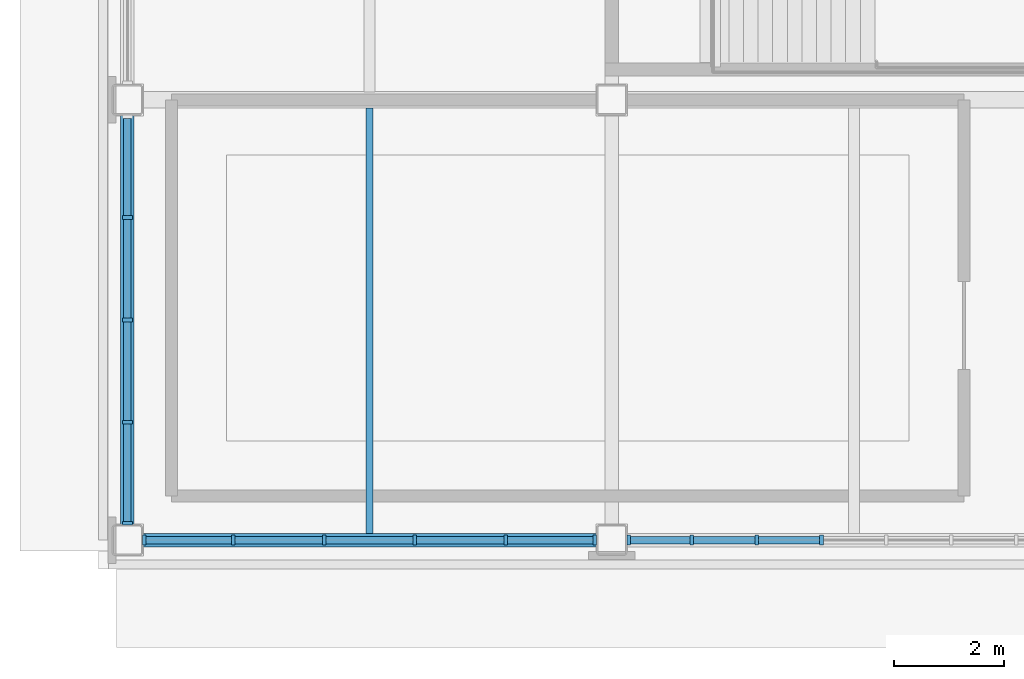
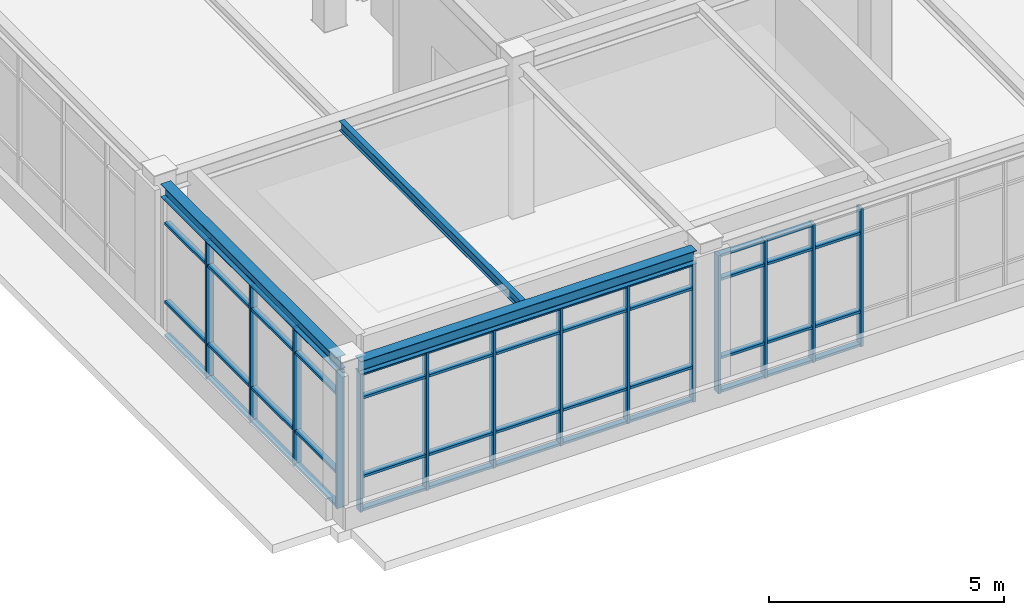
# One storey, part 6 of 64: 61 members, 3 beams, 3 elements without a shape of their own.
"""IFC4 building model written with IfcOpenShell, lengths in metres."""

from ifc_helpers import new_model, si_unit, direction, frame, origin, origin_2d, place, context, subcontext, project, spatial, rectangle, i_section, extrude, material, material_profile, profile_set, type_object, element, aggregate, save


model = new_model("IFC4")

# Units and contexts
model_context = context("Model", 3, precision=1e-05, world=origin(), true_north=direction((0.0, 1.0)))
body_context = subcontext(model_context, "Body", "Model", "MODEL_VIEW")
ifc_project = project(units=[si_unit("LENGTHUNIT", "METRE"), si_unit("AREAUNIT", "SQUARE_METRE"), si_unit("VOLUMEUNIT", "CUBIC_METRE"), si_unit("PLANEANGLEUNIT", "RADIAN"), si_unit("MASSUNIT", "GRAM", prefix="KILO")], contexts=[model_context])

# Site, building, storey
site_placement = place(None, origin())
site = spatial("IfcSite", under=ifc_project, at=site_placement, CompositionType="ELEMENT")
building_placement = place(site_placement, origin())
building = spatial("IfcBuilding", under=site, at=building_placement, Name="Zhaolan Boulevard Law Courts", CompositionType="ELEMENT")
storey_placement = place(building_placement, frame((0.0, 0.0, 20.39990234375)))
storey = spatial("IfcBuildingStorey", under=building, at=storey_placement, Name="L04", CompositionType="ELEMENT", Elevation=20.39990234375)

# Curtain wall, members
ifc_material_1 = material(Name="Thermally broken aluminium and low-E glazing", Category="aluminium")
curtain_wall_type_1 = type_object("IfcCurtainWallType", Name="CURTAIN WALL M17", PredefinedType="USERDEFINED", material=ifc_material_1)
curtain_wall_1_placement = place(storey_placement, origin())
curtain_wall_1 = element("IfcCurtainWall", 1, at=curtain_wall_1_placement, inside=storey, type_object=curtain_wall_type_1, Name="Curtain Wall CW-L04-185", ObjectType="CURTAIN WALL", PredefinedType="USERDEFINED")
ifc_material_2 = material(Name="Fluorocarbon-coated aluminium 6063-T6", Category="aluminium")
ifc_material_profile_1 = material_profile(ifc_material_2, rectangle(XDim=0.179931640625, YDim=0.06494140625, at=origin_2d()), Name="AL65x180")
ifc_profile_set_1 = profile_set([ifc_material_profile_1], Name="Fluorocarbon-coated aluminium 6063-T6")
member_type_1 = type_object("IfcMemberType", Name="CWMULLION 65X180", PredefinedType="MULLION", material=ifc_profile_set_1)
member_1_placement = place(storey_placement, frame((0.3095703125, 30.0, 0.0), z_axis=(0.0, 0.0, 1.0), x_axis=(0.0, 1.0, 0.0)))
member_1 = element("IfcMember", 2, at=member_1_placement, type_object=member_type_1, Name="CW-L04-185 mullion 1", PredefinedType="MULLION", context=body_context, shape_type="SweptSolid", body=[
    extrude(rectangle(XDim=0.179931640625, YDim=0.06494140625, at=origin_2d()), origin(), (0.0, 0.0, 1.0), 3.593017578125),
])
member_2_placement = place(storey_placement, frame((1.92626953125, 30.0, 0.0), z_axis=(0.0, 0.0, 1.0), x_axis=(0.0, 1.0, 0.0)))
member_2 = element("IfcMember", 3, at=member_2_placement, type_object=member_type_1, Name="CW-L04-185 mullion 2", PredefinedType="MULLION", context=body_context, shape_type="SweptSolid", body=[
    extrude(rectangle(XDim=0.179931640625, YDim=0.06494140625, at=origin_2d()), origin(), (0.0, 0.0, 1.0), 3.593017578125),
])
member_3_placement = place(storey_placement, frame((3.575439453125, 30.0, 0.0), z_axis=(0.0, 0.0, 1.0), x_axis=(0.0, 1.0, 0.0)))
member_3 = element("IfcMember", 4, at=member_3_placement, type_object=member_type_1, Name="CW-L04-185 mullion 3", PredefinedType="MULLION", context=body_context, shape_type="SweptSolid", body=[
    extrude(rectangle(XDim=0.179931640625, YDim=0.06494140625, at=origin_2d()), origin(), (0.0, 0.0, 1.0), 3.593017578125),
])
member_4_placement = place(storey_placement, frame((5.224609375, 30.0, 0.0), z_axis=(0.0, 0.0, 1.0), x_axis=(0.0, 1.0, 0.0)))
member_4 = element("IfcMember", 5, at=member_4_placement, type_object=member_type_1, Name="CW-L04-185 mullion 4", PredefinedType="MULLION", context=body_context, shape_type="SweptSolid", body=[
    extrude(rectangle(XDim=0.179931640625, YDim=0.06494140625, at=origin_2d()), origin(), (0.0, 0.0, 1.0), 3.593017578125),
])
member_5_placement = place(storey_placement, frame((6.873779296875, 30.0, 0.0), z_axis=(0.0, 0.0, 1.0), x_axis=(0.0, 1.0, 0.0)))
member_5 = element("IfcMember", 6, at=member_5_placement, type_object=member_type_1, Name="CW-L04-185 mullion 5", PredefinedType="MULLION", context=body_context, shape_type="SweptSolid", body=[
    extrude(rectangle(XDim=0.179931640625, YDim=0.06494140625, at=origin_2d()), origin(), (0.0, 0.0, 1.0), 3.593017578125),
])
member_6_placement = place(storey_placement, frame((8.490478515625, 30.0, 0.0), z_axis=(0.0, 0.0, 1.0), x_axis=(0.0, 1.0, 0.0)))
member_6 = element("IfcMember", 7, at=member_6_placement, type_object=member_type_1, Name="CW-L04-185 mullion 6", PredefinedType="MULLION", context=body_context, shape_type="SweptSolid", body=[
    extrude(rectangle(XDim=0.179931640625, YDim=0.06494140625, at=origin_2d()), origin(), (0.0, 0.0, 1.0), 3.593017578125),
])

ifc_material_3 = material(Name="Thermally broken aluminium and low-E glazing", Category="aluminium")
curtain_wall_type_2 = type_object("IfcCurtainWallType", Name="CURTAIN WALL M18", PredefinedType="USERDEFINED", material=ifc_material_3)
curtain_wall_2_placement = place(storey_placement, origin())
curtain_wall_2 = element("IfcCurtainWall", 8, at=curtain_wall_2_placement, inside=storey, type_object=curtain_wall_type_2, Name="Curtain Wall CW-L04-186", ObjectType="CURTAIN WALL", PredefinedType="USERDEFINED")
member_7_placement = place(storey_placement, frame((9.109619140625, 30.0, 0.0), z_axis=(0.0, 0.0, 1.0), x_axis=(0.0, 1.0, 0.0)))
member_7 = element("IfcMember", 9, at=member_7_placement, type_object=member_type_1, Name="CW-L04-186 mullion 1", PredefinedType="MULLION", context=body_context, shape_type="SweptSolid", body=[
    extrude(rectangle(XDim=0.179931640625, YDim=0.06494140625, at=origin_2d()), origin(), (0.0, 0.0, 1.0), 3.593017578125),
])
member_8_placement = place(storey_placement, frame((10.2548828125, 30.0, 0.0), z_axis=(0.0, 0.0, 1.0), x_axis=(0.0, 1.0, 0.0)))
member_8 = element("IfcMember", 10, at=member_8_placement, type_object=member_type_1, Name="CW-L04-186 mullion 2", PredefinedType="MULLION", context=body_context, shape_type="SweptSolid", body=[
    extrude(rectangle(XDim=0.179931640625, YDim=0.06494140625, at=origin_2d()), origin(), (0.0, 0.0, 1.0), 3.593017578125),
])
member_9_placement = place(storey_placement, frame((11.43310546875, 30.0, 0.0), z_axis=(0.0, 0.0, 1.0), x_axis=(0.0, 1.0, 0.0)))
member_9 = element("IfcMember", 11, at=member_9_placement, type_object=member_type_1, Name="CW-L04-186 mullion 3", PredefinedType="MULLION", context=body_context, shape_type="SweptSolid", body=[
    extrude(rectangle(XDim=0.179931640625, YDim=0.06494140625, at=origin_2d()), origin(), (0.0, 0.0, 1.0), 3.593017578125),
])
member_10_placement = place(storey_placement, frame((12.611083984375, 30.0, 0.0), z_axis=(0.0, 0.0, 1.0), x_axis=(0.0, 1.0, 0.0)))
member_10 = element("IfcMember", 12, at=member_10_placement, type_object=member_type_1, Name="CW-L04-186 mullion 4", PredefinedType="MULLION", context=body_context, shape_type="SweptSolid", body=[
    extrude(rectangle(XDim=0.179931640625, YDim=0.06494140625, at=origin_2d()), origin(), (0.0, 0.0, 1.0), 3.593017578125),
])

ifc_material_4 = material(Name="Thermally broken aluminium and low-E glazing", Category="aluminium")
curtain_wall_type_3 = type_object("IfcCurtainWallType", Name="CURTAIN WALL M22", PredefinedType="USERDEFINED", material=ifc_material_4)
curtain_wall_3_placement = place(storey_placement, origin())
curtain_wall_3 = element("IfcCurtainWall", 13, at=curtain_wall_3_placement, inside=storey, type_object=curtain_wall_type_3, Name="Curtain Wall CW-L04-190", ObjectType="CURTAIN WALL", PredefinedType="USERDEFINED")
member_11_placement = place(storey_placement, frame((0.0, 35.861572265625, 0.0), z_axis=(0.0, 0.0, 1.0), x_axis=(1.0, 0.0, 0.0)))
member_11 = element("IfcMember", 14, at=member_11_placement, type_object=member_type_1, Name="CW-L04-190 mullion 2", PredefinedType="MULLION", context=body_context, shape_type="SweptSolid", body=[
    extrude(rectangle(XDim=0.179931640625, YDim=0.06494140625, at=origin_2d()), origin(), (0.0, 0.0, 1.0), 3.593017578125),
])
member_12_placement = place(storey_placement, frame((0.0, 34.0, 0.0), z_axis=(0.0, 0.0, 1.0), x_axis=(1.0, 0.0, 0.0)))
member_12 = element("IfcMember", 15, at=member_12_placement, type_object=member_type_1, Name="CW-L04-190 mullion 3", PredefinedType="MULLION", context=body_context, shape_type="SweptSolid", body=[
    extrude(rectangle(XDim=0.179931640625, YDim=0.06494140625, at=origin_2d()), origin(), (0.0, 0.0, 1.0), 3.593017578125),
])
member_13_placement = place(storey_placement, frame((0.0, 32.138427734375, 0.0), z_axis=(0.0, 0.0, 1.0), x_axis=(1.0, 0.0, 0.0)))
member_13 = element("IfcMember", 16, at=member_13_placement, type_object=member_type_1, Name="CW-L04-190 mullion 4", PredefinedType="MULLION", context=body_context, shape_type="SweptSolid", body=[
    extrude(rectangle(XDim=0.179931640625, YDim=0.06494140625, at=origin_2d()), origin(), (0.0, 0.0, 1.0), 3.593017578125),
])
member_14_placement = place(storey_placement, frame((0.0, 30.3095703125, 0.0), z_axis=(0.0, 0.0, 1.0), x_axis=(1.0, 0.0, 0.0)))
member_14 = element("IfcMember", 17, at=member_14_placement, type_object=member_type_1, Name="CW-L04-190 mullion 5", PredefinedType="MULLION", context=body_context, shape_type="SweptSolid", body=[
    extrude(rectangle(XDim=0.179931640625, YDim=0.06494140625, at=origin_2d()), origin(), (0.0, 0.0, 1.0), 3.593017578125),
])

# Member
ifc_material_5 = material(Name="Fluorocarbon-coated aluminium 6063-T6", Category="aluminium")
ifc_material_profile_2 = material_profile(ifc_material_5, rectangle(XDim=0.139892578125, YDim=0.06494140625, at=origin_2d()), Name="AL65x140")
ifc_profile_set_2 = profile_set([ifc_material_profile_2], Name="Fluorocarbon-coated aluminium 6063-T6")
member_type_2 = type_object("IfcMemberType", Name="CWTRANSOM 65X140", PredefinedType="USERDEFINED", material=ifc_profile_set_2)
member_15_placement = place(storey_placement, frame((0.342041015625, 30.0, 0.03271484375), z_axis=(1.0, 0.0, 0.0), x_axis=(0.0, 1.0, 0.0)))
member_15 = element("IfcMember", 18, at=member_15_placement, type_object=member_type_2, Name="CW-L04-185 transom 1.1", ObjectType="TRANSOM", PredefinedType="USERDEFINED", context=body_context, shape_type="SweptSolid", body=[
    extrude(rectangle(XDim=0.139892578125, YDim=0.06494140625, at=origin_2d()), origin(), (0.0, 0.0, 1.0), 1.5517578125),
])

member_16_placement = place(storey_placement, frame((0.342041015625, 30.0, 0.900146484375), z_axis=(1.0, 0.0, 0.0), x_axis=(0.0, 1.0, 0.0)))
member_16 = element("IfcMember", 19, at=member_16_placement, type_object=member_type_2, Name="CW-L04-185 transom 1.2", ObjectType="TRANSOM", PredefinedType="USERDEFINED", context=body_context, shape_type="SweptSolid", body=[
    extrude(rectangle(XDim=0.139892578125, YDim=0.06494140625, at=origin_2d()), origin(), (0.0, 0.0, 1.0), 1.5517578125),
])

member_17_placement = place(storey_placement, frame((0.342041015625, 30.0, 2.943115234375), z_axis=(1.0, 0.0, 0.0), x_axis=(0.0, 1.0, 0.0)))
member_17 = element("IfcMember", 20, at=member_17_placement, type_object=member_type_2, Name="CW-L04-185 transom 1.3", ObjectType="TRANSOM", PredefinedType="USERDEFINED", context=body_context, shape_type="SweptSolid", body=[
    extrude(rectangle(XDim=0.139892578125, YDim=0.06494140625, at=origin_2d()), origin(), (0.0, 0.0, 1.0), 1.5517578125),
])

member_18_placement = place(storey_placement, frame((0.342041015625, 30.0, 3.560546875), z_axis=(1.0, 0.0, 0.0), x_axis=(0.0, 1.0, 0.0)))
member_18 = element("IfcMember", 21, at=member_18_placement, type_object=member_type_2, Name="CW-L04-185 transom 1.4", ObjectType="TRANSOM", PredefinedType="USERDEFINED", context=body_context, shape_type="SweptSolid", body=[
    extrude(rectangle(XDim=0.139892578125, YDim=0.06494140625, at=origin_2d()), origin(), (0.0, 0.0, 1.0), 1.5517578125),
])

member_19_placement = place(storey_placement, frame((1.958740234375, 30.0, 0.03271484375), z_axis=(1.0, 0.0, 0.0), x_axis=(0.0, 1.0, 0.0)))
member_19 = element("IfcMember", 22, at=member_19_placement, type_object=member_type_2, Name="CW-L04-185 transom 2.1", ObjectType="TRANSOM", PredefinedType="USERDEFINED", context=body_context, shape_type="SweptSolid", body=[
    extrude(rectangle(XDim=0.139892578125, YDim=0.06494140625, at=origin_2d()), origin(), (0.0, 0.0, 1.0), 1.584228515625),
])

member_20_placement = place(storey_placement, frame((1.958740234375, 30.0, 0.900146484375), z_axis=(1.0, 0.0, 0.0), x_axis=(0.0, 1.0, 0.0)))
member_20 = element("IfcMember", 23, at=member_20_placement, type_object=member_type_2, Name="CW-L04-185 transom 2.2", ObjectType="TRANSOM", PredefinedType="USERDEFINED", context=body_context, shape_type="SweptSolid", body=[
    extrude(rectangle(XDim=0.139892578125, YDim=0.06494140625, at=origin_2d()), origin(), (0.0, 0.0, 1.0), 1.584228515625),
])

member_21_placement = place(storey_placement, frame((1.958740234375, 30.0, 2.943115234375), z_axis=(1.0, 0.0, 0.0), x_axis=(0.0, 1.0, 0.0)))
member_21 = element("IfcMember", 24, at=member_21_placement, type_object=member_type_2, Name="CW-L04-185 transom 2.3", ObjectType="TRANSOM", PredefinedType="USERDEFINED", context=body_context, shape_type="SweptSolid", body=[
    extrude(rectangle(XDim=0.139892578125, YDim=0.06494140625, at=origin_2d()), origin(), (0.0, 0.0, 1.0), 1.584228515625),
])

member_22_placement = place(storey_placement, frame((1.958740234375, 30.0, 3.560546875), z_axis=(1.0, 0.0, 0.0), x_axis=(0.0, 1.0, 0.0)))
member_22 = element("IfcMember", 25, at=member_22_placement, type_object=member_type_2, Name="CW-L04-185 transom 2.4", ObjectType="TRANSOM", PredefinedType="USERDEFINED", context=body_context, shape_type="SweptSolid", body=[
    extrude(rectangle(XDim=0.139892578125, YDim=0.06494140625, at=origin_2d()), origin(), (0.0, 0.0, 1.0), 1.584228515625),
])

member_23_placement = place(storey_placement, frame((3.60791015625, 30.0, 0.03271484375), z_axis=(1.0, 0.0, 0.0), x_axis=(0.0, 1.0, 0.0)))
member_23 = element("IfcMember", 26, at=member_23_placement, type_object=member_type_2, Name="CW-L04-185 transom 3.1", ObjectType="TRANSOM", PredefinedType="USERDEFINED", context=body_context, shape_type="SweptSolid", body=[
    extrude(rectangle(XDim=0.139892578125, YDim=0.06494140625, at=origin_2d()), origin(), (0.0, 0.0, 1.0), 1.584228515625),
])

member_24_placement = place(storey_placement, frame((3.60791015625, 30.0, 0.900146484375), z_axis=(1.0, 0.0, 0.0), x_axis=(0.0, 1.0, 0.0)))
member_24 = element("IfcMember", 27, at=member_24_placement, type_object=member_type_2, Name="CW-L04-185 transom 3.2", ObjectType="TRANSOM", PredefinedType="USERDEFINED", context=body_context, shape_type="SweptSolid", body=[
    extrude(rectangle(XDim=0.139892578125, YDim=0.06494140625, at=origin_2d()), origin(), (0.0, 0.0, 1.0), 1.584228515625),
])

member_25_placement = place(storey_placement, frame((3.60791015625, 30.0, 2.943115234375), z_axis=(1.0, 0.0, 0.0), x_axis=(0.0, 1.0, 0.0)))
member_25 = element("IfcMember", 28, at=member_25_placement, type_object=member_type_2, Name="CW-L04-185 transom 3.3", ObjectType="TRANSOM", PredefinedType="USERDEFINED", context=body_context, shape_type="SweptSolid", body=[
    extrude(rectangle(XDim=0.139892578125, YDim=0.06494140625, at=origin_2d()), origin(), (0.0, 0.0, 1.0), 1.584228515625),
])

member_26_placement = place(storey_placement, frame((3.60791015625, 30.0, 3.560546875), z_axis=(1.0, 0.0, 0.0), x_axis=(0.0, 1.0, 0.0)))
member_26 = element("IfcMember", 29, at=member_26_placement, type_object=member_type_2, Name="CW-L04-185 transom 3.4", ObjectType="TRANSOM", PredefinedType="USERDEFINED", context=body_context, shape_type="SweptSolid", body=[
    extrude(rectangle(XDim=0.139892578125, YDim=0.06494140625, at=origin_2d()), origin(), (0.0, 0.0, 1.0), 1.584228515625),
])

member_27_placement = place(storey_placement, frame((5.257080078125, 30.0, 0.03271484375), z_axis=(1.0, 0.0, 0.0), x_axis=(0.0, 1.0, 0.0)))
member_27 = element("IfcMember", 30, at=member_27_placement, type_object=member_type_2, Name="CW-L04-185 transom 4.1", ObjectType="TRANSOM", PredefinedType="USERDEFINED", context=body_context, shape_type="SweptSolid", body=[
    extrude(rectangle(XDim=0.139892578125, YDim=0.06494140625, at=origin_2d()), origin(), (0.0, 0.0, 1.0), 1.584228515625),
])

member_28_placement = place(storey_placement, frame((5.257080078125, 30.0, 0.900146484375), z_axis=(1.0, 0.0, 0.0), x_axis=(0.0, 1.0, 0.0)))
member_28 = element("IfcMember", 31, at=member_28_placement, type_object=member_type_2, Name="CW-L04-185 transom 4.2", ObjectType="TRANSOM", PredefinedType="USERDEFINED", context=body_context, shape_type="SweptSolid", body=[
    extrude(rectangle(XDim=0.139892578125, YDim=0.06494140625, at=origin_2d()), origin(), (0.0, 0.0, 1.0), 1.584228515625),
])

member_29_placement = place(storey_placement, frame((5.257080078125, 30.0, 2.943115234375), z_axis=(1.0, 0.0, 0.0), x_axis=(0.0, 1.0, 0.0)))
member_29 = element("IfcMember", 32, at=member_29_placement, type_object=member_type_2, Name="CW-L04-185 transom 4.3", ObjectType="TRANSOM", PredefinedType="USERDEFINED", context=body_context, shape_type="SweptSolid", body=[
    extrude(rectangle(XDim=0.139892578125, YDim=0.06494140625, at=origin_2d()), origin(), (0.0, 0.0, 1.0), 1.584228515625),
])

member_30_placement = place(storey_placement, frame((5.257080078125, 30.0, 3.560546875), z_axis=(1.0, 0.0, 0.0), x_axis=(0.0, 1.0, 0.0)))
member_30 = element("IfcMember", 33, at=member_30_placement, type_object=member_type_2, Name="CW-L04-185 transom 4.4", ObjectType="TRANSOM", PredefinedType="USERDEFINED", context=body_context, shape_type="SweptSolid", body=[
    extrude(rectangle(XDim=0.139892578125, YDim=0.06494140625, at=origin_2d()), origin(), (0.0, 0.0, 1.0), 1.584228515625),
])

member_31_placement = place(storey_placement, frame((6.90625, 30.0, 0.03271484375), z_axis=(1.0, 0.0, 0.0), x_axis=(0.0, 1.0, 0.0)))
member_31 = element("IfcMember", 34, at=member_31_placement, type_object=member_type_2, Name="CW-L04-185 transom 5.1", ObjectType="TRANSOM", PredefinedType="USERDEFINED", context=body_context, shape_type="SweptSolid", body=[
    extrude(rectangle(XDim=0.139892578125, YDim=0.06494140625, at=origin_2d()), origin(), (0.0, 0.0, 1.0), 1.5517578125),
])

member_32_placement = place(storey_placement, frame((6.90625, 30.0, 0.900146484375), z_axis=(1.0, 0.0, 0.0), x_axis=(0.0, 1.0, 0.0)))
member_32 = element("IfcMember", 35, at=member_32_placement, type_object=member_type_2, Name="CW-L04-185 transom 5.2", ObjectType="TRANSOM", PredefinedType="USERDEFINED", context=body_context, shape_type="SweptSolid", body=[
    extrude(rectangle(XDim=0.139892578125, YDim=0.06494140625, at=origin_2d()), origin(), (0.0, 0.0, 1.0), 1.5517578125),
])

member_33_placement = place(storey_placement, frame((6.90625, 30.0, 2.943115234375), z_axis=(1.0, 0.0, 0.0), x_axis=(0.0, 1.0, 0.0)))
member_33 = element("IfcMember", 36, at=member_33_placement, type_object=member_type_2, Name="CW-L04-185 transom 5.3", ObjectType="TRANSOM", PredefinedType="USERDEFINED", context=body_context, shape_type="SweptSolid", body=[
    extrude(rectangle(XDim=0.139892578125, YDim=0.06494140625, at=origin_2d()), origin(), (0.0, 0.0, 1.0), 1.5517578125),
])

member_34_placement = place(storey_placement, frame((6.90625, 30.0, 3.560546875), z_axis=(1.0, 0.0, 0.0), x_axis=(0.0, 1.0, 0.0)))
member_34 = element("IfcMember", 37, at=member_34_placement, type_object=member_type_2, Name="CW-L04-185 transom 5.4", ObjectType="TRANSOM", PredefinedType="USERDEFINED", context=body_context, shape_type="SweptSolid", body=[
    extrude(rectangle(XDim=0.139892578125, YDim=0.06494140625, at=origin_2d()), origin(), (0.0, 0.0, 1.0), 1.5517578125),
])

aggregate(curtain_wall_1, [member_1, member_2, member_3, member_4, member_5, member_6, member_15, member_16, member_17, member_18, member_19, member_20, member_21, member_22, member_23, member_24, member_25, member_26, member_27, member_28, member_29, member_30, member_31, member_32, member_33, member_34])

member_35_placement = place(storey_placement, frame((9.14208984375, 30.0, 0.03271484375), z_axis=(1.0, 0.0, 0.0), x_axis=(0.0, 1.0, 0.0)))
member_35 = element("IfcMember", 38, at=member_35_placement, type_object=member_type_2, Name="CW-L04-186 transom 1.1", ObjectType="TRANSOM", PredefinedType="USERDEFINED", context=body_context, shape_type="SweptSolid", body=[
    extrude(rectangle(XDim=0.139892578125, YDim=0.06494140625, at=origin_2d()), origin(), (0.0, 0.0, 1.0), 1.080322265625),
])

member_36_placement = place(storey_placement, frame((9.14208984375, 30.0, 0.900146484375), z_axis=(1.0, 0.0, 0.0), x_axis=(0.0, 1.0, 0.0)))
member_36 = element("IfcMember", 39, at=member_36_placement, type_object=member_type_2, Name="CW-L04-186 transom 1.2", ObjectType="TRANSOM", PredefinedType="USERDEFINED", context=body_context, shape_type="SweptSolid", body=[
    extrude(rectangle(XDim=0.139892578125, YDim=0.06494140625, at=origin_2d()), origin(), (0.0, 0.0, 1.0), 1.080322265625),
])

member_37_placement = place(storey_placement, frame((9.14208984375, 30.0, 2.943115234375), z_axis=(1.0, 0.0, 0.0), x_axis=(0.0, 1.0, 0.0)))
member_37 = element("IfcMember", 40, at=member_37_placement, type_object=member_type_2, Name="CW-L04-186 transom 1.3", ObjectType="TRANSOM", PredefinedType="USERDEFINED", context=body_context, shape_type="SweptSolid", body=[
    extrude(rectangle(XDim=0.139892578125, YDim=0.06494140625, at=origin_2d()), origin(), (0.0, 0.0, 1.0), 1.080322265625),
])

member_38_placement = place(storey_placement, frame((9.14208984375, 30.0, 3.560546875), z_axis=(1.0, 0.0, 0.0), x_axis=(0.0, 1.0, 0.0)))
member_38 = element("IfcMember", 41, at=member_38_placement, type_object=member_type_2, Name="CW-L04-186 transom 1.4", ObjectType="TRANSOM", PredefinedType="USERDEFINED", context=body_context, shape_type="SweptSolid", body=[
    extrude(rectangle(XDim=0.139892578125, YDim=0.06494140625, at=origin_2d()), origin(), (0.0, 0.0, 1.0), 1.080322265625),
])

member_39_placement = place(storey_placement, frame((10.28759765625, 30.0, 0.03271484375), z_axis=(1.0, 0.0, 0.0), x_axis=(0.0, 1.0, 0.0)))
member_39 = element("IfcMember", 42, at=member_39_placement, type_object=member_type_2, Name="CW-L04-186 transom 2.1", ObjectType="TRANSOM", PredefinedType="USERDEFINED", context=body_context, shape_type="SweptSolid", body=[
    extrude(rectangle(XDim=0.139892578125, YDim=0.06494140625, at=origin_2d()), origin(), (0.0, 0.0, 1.0), 1.11279296875),
])

member_40_placement = place(storey_placement, frame((10.28759765625, 30.0, 0.900146484375), z_axis=(1.0, 0.0, 0.0), x_axis=(0.0, 1.0, 0.0)))
member_40 = element("IfcMember", 43, at=member_40_placement, type_object=member_type_2, Name="CW-L04-186 transom 2.2", ObjectType="TRANSOM", PredefinedType="USERDEFINED", context=body_context, shape_type="SweptSolid", body=[
    extrude(rectangle(XDim=0.139892578125, YDim=0.06494140625, at=origin_2d()), origin(), (0.0, 0.0, 1.0), 1.11279296875),
])

member_41_placement = place(storey_placement, frame((10.28759765625, 30.0, 2.943115234375), z_axis=(1.0, 0.0, 0.0), x_axis=(0.0, 1.0, 0.0)))
member_41 = element("IfcMember", 44, at=member_41_placement, type_object=member_type_2, Name="CW-L04-186 transom 2.3", ObjectType="TRANSOM", PredefinedType="USERDEFINED", context=body_context, shape_type="SweptSolid", body=[
    extrude(rectangle(XDim=0.139892578125, YDim=0.06494140625, at=origin_2d()), origin(), (0.0, 0.0, 1.0), 1.11279296875),
])

member_42_placement = place(storey_placement, frame((10.28759765625, 30.0, 3.560546875), z_axis=(1.0, 0.0, 0.0), x_axis=(0.0, 1.0, 0.0)))
member_42 = element("IfcMember", 45, at=member_42_placement, type_object=member_type_2, Name="CW-L04-186 transom 2.4", ObjectType="TRANSOM", PredefinedType="USERDEFINED", context=body_context, shape_type="SweptSolid", body=[
    extrude(rectangle(XDim=0.139892578125, YDim=0.06494140625, at=origin_2d()), origin(), (0.0, 0.0, 1.0), 1.11279296875),
])

member_43_placement = place(storey_placement, frame((11.465576171875, 30.0, 0.03271484375), z_axis=(1.0, 0.0, 0.0), x_axis=(0.0, 1.0, 0.0)))
member_43 = element("IfcMember", 46, at=member_43_placement, type_object=member_type_2, Name="CW-L04-186 transom 3.1", ObjectType="TRANSOM", PredefinedType="USERDEFINED", context=body_context, shape_type="SweptSolid", body=[
    extrude(rectangle(XDim=0.139892578125, YDim=0.06494140625, at=origin_2d()), origin(), (0.0, 0.0, 1.0), 1.113037109375),
])

member_44_placement = place(storey_placement, frame((11.465576171875, 30.0, 0.900146484375), z_axis=(1.0, 0.0, 0.0), x_axis=(0.0, 1.0, 0.0)))
member_44 = element("IfcMember", 47, at=member_44_placement, type_object=member_type_2, Name="CW-L04-186 transom 3.2", ObjectType="TRANSOM", PredefinedType="USERDEFINED", context=body_context, shape_type="SweptSolid", body=[
    extrude(rectangle(XDim=0.139892578125, YDim=0.06494140625, at=origin_2d()), origin(), (0.0, 0.0, 1.0), 1.113037109375),
])

member_45_placement = place(storey_placement, frame((11.465576171875, 30.0, 2.943115234375), z_axis=(1.0, 0.0, 0.0), x_axis=(0.0, 1.0, 0.0)))
member_45 = element("IfcMember", 48, at=member_45_placement, type_object=member_type_2, Name="CW-L04-186 transom 3.3", ObjectType="TRANSOM", PredefinedType="USERDEFINED", context=body_context, shape_type="SweptSolid", body=[
    extrude(rectangle(XDim=0.139892578125, YDim=0.06494140625, at=origin_2d()), origin(), (0.0, 0.0, 1.0), 1.113037109375),
])

aggregate(curtain_wall_2, [member_7, member_8, member_9, member_10, member_35, member_36, member_37, member_38, member_39, member_40, member_41, member_42, member_43, member_44, member_45])

member_46_placement = place(storey_placement, frame((0.0, 37.657958984375, 0.03271484375), z_axis=(0.0, -1.0, 0.0), x_axis=(1.0, 0.0, 0.0)))
member_46 = element("IfcMember", 49, at=member_46_placement, type_object=member_type_2, Name="CW-L04-190 transom 1.1", ObjectType="TRANSOM", PredefinedType="USERDEFINED", context=body_context, shape_type="SweptSolid", body=[
    extrude(rectangle(XDim=0.139892578125, YDim=0.06494140625, at=origin_2d()), origin(), (0.0, 0.0, 1.0), 1.763916015625),
])

member_47_placement = place(storey_placement, frame((0.0, 37.657958984375, 0.900146484375), z_axis=(0.0, -1.0, 0.0), x_axis=(1.0, 0.0, 0.0)))
member_47 = element("IfcMember", 50, at=member_47_placement, type_object=member_type_2, Name="CW-L04-190 transom 1.2", ObjectType="TRANSOM", PredefinedType="USERDEFINED", context=body_context, shape_type="SweptSolid", body=[
    extrude(rectangle(XDim=0.139892578125, YDim=0.06494140625, at=origin_2d()), origin(), (0.0, 0.0, 1.0), 1.763916015625),
])

member_48_placement = place(storey_placement, frame((0.0, 37.657958984375, 2.943115234375), z_axis=(0.0, -1.0, 0.0), x_axis=(1.0, 0.0, 0.0)))
member_48 = element("IfcMember", 51, at=member_48_placement, type_object=member_type_2, Name="CW-L04-190 transom 1.3", ObjectType="TRANSOM", PredefinedType="USERDEFINED", context=body_context, shape_type="SweptSolid", body=[
    extrude(rectangle(XDim=0.139892578125, YDim=0.06494140625, at=origin_2d()), origin(), (0.0, 0.0, 1.0), 1.763916015625),
])

member_49_placement = place(storey_placement, frame((0.0, 37.657958984375, 3.560546875), z_axis=(0.0, -1.0, 0.0), x_axis=(1.0, 0.0, 0.0)))
member_49 = element("IfcMember", 52, at=member_49_placement, type_object=member_type_2, Name="CW-L04-190 transom 1.4", ObjectType="TRANSOM", PredefinedType="USERDEFINED", context=body_context, shape_type="SweptSolid", body=[
    extrude(rectangle(XDim=0.139892578125, YDim=0.06494140625, at=origin_2d()), origin(), (0.0, 0.0, 1.0), 1.763916015625),
])

member_50_placement = place(storey_placement, frame((0.0, 35.8291015625, 0.03271484375), z_axis=(0.0, -1.0, 0.0), x_axis=(1.0, 0.0, 0.0)))
member_50 = element("IfcMember", 53, at=member_50_placement, type_object=member_type_2, Name="CW-L04-190 transom 2.1", ObjectType="TRANSOM", PredefinedType="USERDEFINED", context=body_context, shape_type="SweptSolid", body=[
    extrude(rectangle(XDim=0.139892578125, YDim=0.06494140625, at=origin_2d()), origin(), (0.0, 0.0, 1.0), 1.796630859375),
])

member_51_placement = place(storey_placement, frame((0.0, 35.8291015625, 0.900146484375), z_axis=(0.0, -1.0, 0.0), x_axis=(1.0, 0.0, 0.0)))
member_51 = element("IfcMember", 54, at=member_51_placement, type_object=member_type_2, Name="CW-L04-190 transom 2.2", ObjectType="TRANSOM", PredefinedType="USERDEFINED", context=body_context, shape_type="SweptSolid", body=[
    extrude(rectangle(XDim=0.139892578125, YDim=0.06494140625, at=origin_2d()), origin(), (0.0, 0.0, 1.0), 1.796630859375),
])

member_52_placement = place(storey_placement, frame((0.0, 35.8291015625, 2.943115234375), z_axis=(0.0, -1.0, 0.0), x_axis=(1.0, 0.0, 0.0)))
member_52 = element("IfcMember", 55, at=member_52_placement, type_object=member_type_2, Name="CW-L04-190 transom 2.3", ObjectType="TRANSOM", PredefinedType="USERDEFINED", context=body_context, shape_type="SweptSolid", body=[
    extrude(rectangle(XDim=0.139892578125, YDim=0.06494140625, at=origin_2d()), origin(), (0.0, 0.0, 1.0), 1.796630859375),
])

member_53_placement = place(storey_placement, frame((0.0, 35.8291015625, 3.560546875), z_axis=(0.0, -1.0, 0.0), x_axis=(1.0, 0.0, 0.0)))
member_53 = element("IfcMember", 56, at=member_53_placement, type_object=member_type_2, Name="CW-L04-190 transom 2.4", ObjectType="TRANSOM", PredefinedType="USERDEFINED", context=body_context, shape_type="SweptSolid", body=[
    extrude(rectangle(XDim=0.139892578125, YDim=0.06494140625, at=origin_2d()), origin(), (0.0, 0.0, 1.0), 1.796630859375),
])

member_54_placement = place(storey_placement, frame((0.0, 33.967529296875, 0.03271484375), z_axis=(0.0, -1.0, 0.0), x_axis=(1.0, 0.0, 0.0)))
member_54 = element("IfcMember", 57, at=member_54_placement, type_object=member_type_2, Name="CW-L04-190 transom 3.1", ObjectType="TRANSOM", PredefinedType="USERDEFINED", context=body_context, shape_type="SweptSolid", body=[
    extrude(rectangle(XDim=0.139892578125, YDim=0.06494140625, at=origin_2d()), origin(), (0.0, 0.0, 1.0), 1.796630859375),
])

member_55_placement = place(storey_placement, frame((0.0, 33.967529296875, 0.900146484375), z_axis=(0.0, -1.0, 0.0), x_axis=(1.0, 0.0, 0.0)))
member_55 = element("IfcMember", 58, at=member_55_placement, type_object=member_type_2, Name="CW-L04-190 transom 3.2", ObjectType="TRANSOM", PredefinedType="USERDEFINED", context=body_context, shape_type="SweptSolid", body=[
    extrude(rectangle(XDim=0.139892578125, YDim=0.06494140625, at=origin_2d()), origin(), (0.0, 0.0, 1.0), 1.796630859375),
])

member_56_placement = place(storey_placement, frame((0.0, 33.967529296875, 2.943115234375), z_axis=(0.0, -1.0, 0.0), x_axis=(1.0, 0.0, 0.0)))
member_56 = element("IfcMember", 59, at=member_56_placement, type_object=member_type_2, Name="CW-L04-190 transom 3.3", ObjectType="TRANSOM", PredefinedType="USERDEFINED", context=body_context, shape_type="SweptSolid", body=[
    extrude(rectangle(XDim=0.139892578125, YDim=0.06494140625, at=origin_2d()), origin(), (0.0, 0.0, 1.0), 1.796630859375),
])

member_57_placement = place(storey_placement, frame((0.0, 33.967529296875, 3.560546875), z_axis=(0.0, -1.0, 0.0), x_axis=(1.0, 0.0, 0.0)))
member_57 = element("IfcMember", 60, at=member_57_placement, type_object=member_type_2, Name="CW-L04-190 transom 3.4", ObjectType="TRANSOM", PredefinedType="USERDEFINED", context=body_context, shape_type="SweptSolid", body=[
    extrude(rectangle(XDim=0.139892578125, YDim=0.06494140625, at=origin_2d()), origin(), (0.0, 0.0, 1.0), 1.796630859375),
])

member_58_placement = place(storey_placement, frame((0.0, 32.10595703125, 0.03271484375), z_axis=(0.0, -1.0, 0.0), x_axis=(1.0, 0.0, 0.0)))
member_58 = element("IfcMember", 61, at=member_58_placement, type_object=member_type_2, Name="CW-L04-190 transom 4.1", ObjectType="TRANSOM", PredefinedType="USERDEFINED", context=body_context, shape_type="SweptSolid", body=[
    extrude(rectangle(XDim=0.139892578125, YDim=0.06494140625, at=origin_2d()), origin(), (0.0, 0.0, 1.0), 1.763916015625),
])

member_59_placement = place(storey_placement, frame((0.0, 32.10595703125, 0.900146484375), z_axis=(0.0, -1.0, 0.0), x_axis=(1.0, 0.0, 0.0)))
member_59 = element("IfcMember", 62, at=member_59_placement, type_object=member_type_2, Name="CW-L04-190 transom 4.2", ObjectType="TRANSOM", PredefinedType="USERDEFINED", context=body_context, shape_type="SweptSolid", body=[
    extrude(rectangle(XDim=0.139892578125, YDim=0.06494140625, at=origin_2d()), origin(), (0.0, 0.0, 1.0), 1.763916015625),
])

member_60_placement = place(storey_placement, frame((0.0, 32.10595703125, 2.943115234375), z_axis=(0.0, -1.0, 0.0), x_axis=(1.0, 0.0, 0.0)))
member_60 = element("IfcMember", 63, at=member_60_placement, type_object=member_type_2, Name="CW-L04-190 transom 4.3", ObjectType="TRANSOM", PredefinedType="USERDEFINED", context=body_context, shape_type="SweptSolid", body=[
    extrude(rectangle(XDim=0.139892578125, YDim=0.06494140625, at=origin_2d()), origin(), (0.0, 0.0, 1.0), 1.763916015625),
])

member_61_placement = place(storey_placement, frame((0.0, 32.10595703125, 3.560546875), z_axis=(0.0, -1.0, 0.0), x_axis=(1.0, 0.0, 0.0)))
member_61 = element("IfcMember", 64, at=member_61_placement, type_object=member_type_2, Name="CW-L04-190 transom 4.4", ObjectType="TRANSOM", PredefinedType="USERDEFINED", context=body_context, shape_type="SweptSolid", body=[
    extrude(rectangle(XDim=0.139892578125, YDim=0.06494140625, at=origin_2d()), origin(), (0.0, 0.0, 1.0), 1.763916015625),
])

aggregate(curtain_wall_3, [member_11, member_12, member_13, member_14, member_46, member_47, member_48, member_49, member_50, member_51, member_52, member_53, member_54, member_55, member_56, member_57, member_58, member_59, member_60, member_61])

# Beams
ifc_material_6 = material(Name="Structural steel Q355B", Category="steel")
ifc_material_profile_3 = material_profile(ifc_material_6, i_section(OverallWidth=0.25, OverallDepth=0.340087890625, WebThickness=0.009033203125, FlangeThickness=0.013916015625, FilletRadius=0.01611328125, at=origin_2d()), Name="HM340x250")
ifc_profile_set_3 = profile_set([ifc_material_profile_3], Name="Structural steel Q355B")
beam_type_1 = type_object("IfcBeamType", Name="GIRDER HM340", PredefinedType="BEAM", material=ifc_profile_set_3)
beam_1_placement = place(storey_placement, frame((0.0, 30.27099609375, 3.778076171875), z_axis=(0.0, 1.0, 0.0), x_axis=(-1.0, 0.0, 0.0)))
element("IfcBeam", 65, at=beam_1_placement, inside=storey, type_object=beam_type_1, Name="Beam BY-L05-1-E-F", PredefinedType="BEAM", context=body_context, shape_type="SweptSolid", body=[
    extrude(i_section(OverallWidth=0.25, OverallDepth=0.340087890625, WebThickness=0.009033203125, FlangeThickness=0.013916015625, FilletRadius=0.01611328125, at=origin_2d()), origin(), (0.0, 0.0, 1.0), 7.4580078125),
])
ifc_material_7 = material(Name="Structural steel Q355B", Category="steel")
ifc_material_profile_4 = material_profile(ifc_material_7, i_section(OverallWidth=0.125, OverallDepth=0.25, WebThickness=0.006103515625, FlangeThickness=0.009033203125, FilletRadius=0.010009765625, at=origin_2d()), Name="HN250x125")
ifc_profile_set_4 = profile_set([ifc_material_profile_4], Name="Structural steel Q355B")
beam_type_2 = type_object("IfcBeamType", Name="JOIST HN250", PredefinedType="JOIST", material=ifc_profile_set_4)
beam_2_placement = place(storey_placement, frame((4.39990234375, 30.12109375, 3.822998046875), z_axis=(0.0, 1.0, 0.0), x_axis=(-1.0, 0.0, 0.0)))
element("IfcBeam", 66, at=beam_2_placement, inside=storey, type_object=beam_type_2, Name="Composite Joist J-L05-1E", PredefinedType="JOIST", context=body_context, shape_type="SweptSolid", body=[
    extrude(i_section(OverallWidth=0.125, OverallDepth=0.25, WebThickness=0.006103515625, FlangeThickness=0.009033203125, FilletRadius=0.010009765625, at=origin_2d()), origin(), (0.0, 0.0, 1.0), 7.73291015625),
])
ifc_material_8 = material(Name="Structural steel Q355B", Category="steel")
ifc_material_profile_5 = material_profile(ifc_material_8, i_section(OverallWidth=0.25, OverallDepth=0.340087890625, WebThickness=0.009033203125, FlangeThickness=0.013916015625, FilletRadius=0.01611328125, at=origin_2d()), Name="HM340x250")
ifc_profile_set_5 = profile_set([ifc_material_profile_5], Name="Structural steel Q355B")
beam_type_3 = type_object("IfcBeamType", Name="SPANDREL HM340", PredefinedType="SPANDREL", material=ifc_profile_set_5)
beam_3_placement = place(storey_placement, frame((0.27099609375, 30.0, 3.778076171875), z_axis=(1.0, 0.0, 0.0), x_axis=(0.0, 1.0, 0.0)))
element("IfcBeam", 67, at=beam_3_placement, inside=storey, type_object=beam_type_3, Name="Beam BX-L05-1-2-E", PredefinedType="SPANDREL", context=body_context, shape_type="SweptSolid", body=[
    extrude(i_section(OverallWidth=0.25, OverallDepth=0.340087890625, WebThickness=0.009033203125, FlangeThickness=0.013916015625, FilletRadius=0.01611328125, at=origin_2d()), origin(), (0.0, 0.0, 1.0), 8.258056640625),
])

save(model, "model.ifc")
